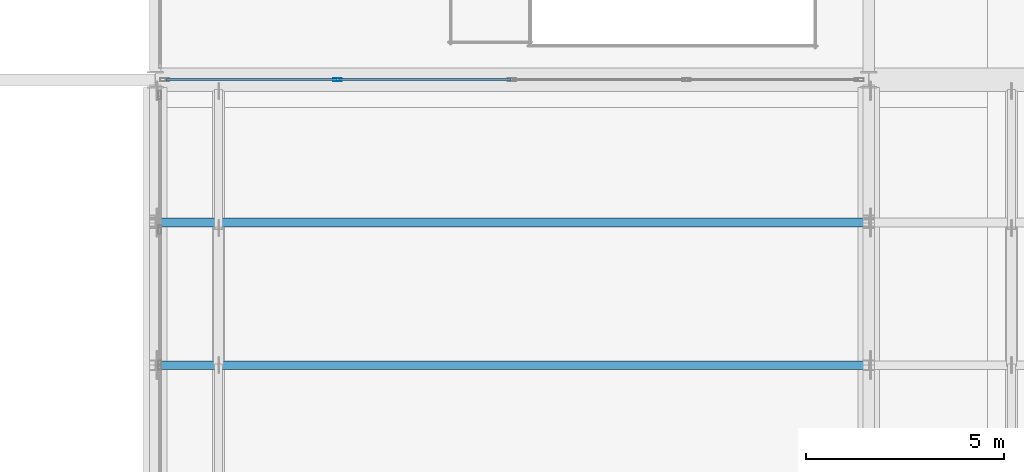
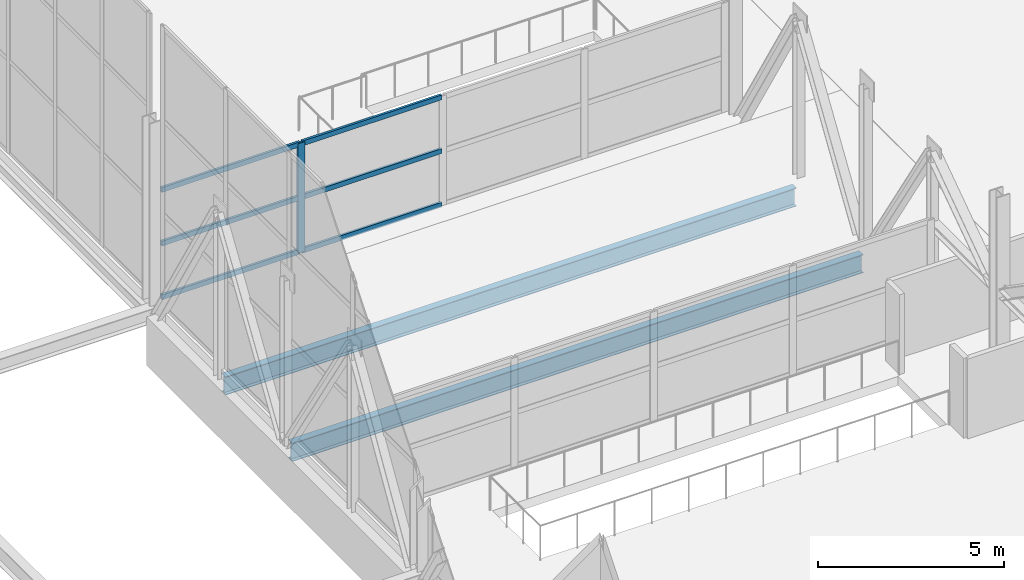
# One storey, part 77 of 191: 7 members, 2 beams, 1 element without a shape of its own.
"""IFC4 building model written with IfcOpenShell, lengths in metres."""

from ifc_helpers import new_model, si_unit, direction, frame, origin, origin_2d, place, context, subcontext, project, spatial, hollow_rectangle, i_section, extrude, material, layer, layer_set, material_profile, profile_set, type_object, element, aggregate, save


model = new_model("IFC4")

# Units and contexts
model_context = context("Model", 3, precision=1e-05, world=origin(), true_north=direction((0.0, 1.0)))
body_context = subcontext(model_context, "Body", "Model", "MODEL_VIEW")
ifc_project = project(units=[si_unit("LENGTHUNIT", "METRE"), si_unit("AREAUNIT", "SQUARE_METRE"), si_unit("VOLUMEUNIT", "CUBIC_METRE"), si_unit("PLANEANGLEUNIT", "RADIAN"), si_unit("MASSUNIT", "GRAM", prefix="KILO")], contexts=[model_context])

# Site, building, storey
site_placement = place(None, origin())
site = spatial("IfcSite", under=ifc_project, at=site_placement, CompositionType="ELEMENT")
building_placement = place(site_placement, origin())
building = spatial("IfcBuilding", under=site, at=building_placement, Name="Tamarisk Ironworks Central Station", CompositionType="ELEMENT")
storey_placement = place(building_placement, frame((0.0, 0.0, 6.60009765625)))
storey = spatial("IfcBuildingStorey", under=building, at=storey_placement, Name="L01", CompositionType="ELEMENT", Elevation=6.60009765625)

# Beams
ifc_material_1 = material(Name="Structural steel S355J2", Category="steel")
ifc_material_profile_1 = material_profile(ifc_material_1, i_section(OverallWidth=0.219970703125, OverallDepth=0.60009765625, WebThickness=0.011962890625, FlangeThickness=0.01904296875, at=origin_2d()), Name="IPE 600")
ifc_profile_set_1 = profile_set([ifc_material_profile_1], Name="Structural steel S355J2")
beam_type = type_object("IfcBeamType", Name="BM-B01", PredefinedType="BEAM", material=ifc_profile_set_1)
for number, where, z_axis, x_axis, name in (
    (1, (54.135009765625, 72.0, -0.60009765625), (1.0, 0.0, 0.0), (0.0, 1.0, 0.0), "L01 secondary composite beam 0011"),
    (2, (54.135009765625, 75.60009765625, -0.60009765625), (1.0, 0.0, 0.0), (0.0, 1.0, 0.0), "L01 secondary composite beam 0012"),
):
    element("IfcBeam", number, at=place(storey_placement, frame(where, z_axis=z_axis, x_axis=x_axis)), inside=storey, type_object=beam_type, Name=name, PredefinedType="BEAM", context=body_context, shape_type="SweptSolid", body=[
        extrude(i_section(OverallWidth=0.219970703125, OverallDepth=0.60009765625, WebThickness=0.011962890625, FlangeThickness=0.01904296875, at=origin_2d()), origin(), (0.0, 0.0, 1.0), 17.72998046875),
    ])

# Curtain wall, members
ifc_material_2 = material(Name="Anodized aluminium alloy 6063-T6", Category="aluminium")
ifc_layer = layer(ifc_material_2, 0.179931640625)
ifc_layer_set = layer_set([ifc_layer], Name="Anodized aluminium alloy 6063-T6")
curtain_wall_type = type_object("IfcCurtainWallType", Name="CW-24", PredefinedType="USERDEFINED", material=ifc_layer_set)
curtain_wall_placement = place(storey_placement, origin())
curtain_wall = element("IfcCurtainWall", 3, at=curtain_wall_placement, inside=storey, type_object=curtain_wall_type, Name="North bridge west glazed acoustic screen", ObjectType="GLAZED CURTAIN WALL", PredefinedType="USERDEFINED")
ifc_material_profile_2 = material_profile(ifc_material_2, hollow_rectangle(XDim=0.074951171875, YDim=0.219970703125, WallThickness=0.00390625, at=origin_2d()), Name="ALUM 220x75")
ifc_profile_set_2 = profile_set([ifc_material_profile_2], Name="Anodized aluminium alloy 6063-T6")
member_type_1 = type_object("IfcMemberType", Name="CWM-01", PredefinedType="MULLION", material=ifc_profile_set_2)
member_1_placement = place(storey_placement, frame((58.6005859375, 79.199951171875, 0.0), z_axis=(0.0, 0.0, 1.0), x_axis=(0.0, 1.0, 0.0)))
member_1 = element("IfcMember", 4, at=member_1_placement, type_object=member_type_1, Name="CW24 mullion 2", PredefinedType="MULLION", context=body_context, shape_type="SweptSolid", body=[
    extrude(hollow_rectangle(XDim=0.074951171875, YDim=0.219970703125, WallThickness=0.00390625, at=origin_2d()), origin(), (0.0, 0.0, 1.0), 3.599853515625),
])
ifc_material_profile_3 = material_profile(ifc_material_2, hollow_rectangle(XDim=0.074951171875, YDim=0.159912109375, WallThickness=0.00390625, at=origin_2d()), Name="ALUM 160x75")
ifc_profile_set_3 = profile_set([ifc_material_profile_3], Name="Anodized aluminium alloy 6063-T6")
member_type_2 = type_object("IfcMemberType", Name="CWT-01", PredefinedType="USERDEFINED", material=ifc_profile_set_3)
member_2_placement = place(storey_placement, frame((54.27197265625, 79.199951171875, 0.037353515625), z_axis=(1.0, 0.0, 0.0), x_axis=(0.0, 1.0, 0.0)))
member_2 = element("IfcMember", 5, at=member_2_placement, type_object=member_type_2, Name="CW24 transom 1.1", ObjectType="TRANSOM", PredefinedType="USERDEFINED", context=body_context, shape_type="SweptSolid", body=[
    extrude(hollow_rectangle(XDim=0.074951171875, YDim=0.159912109375, WallThickness=0.00390625, at=origin_2d()), origin(), (0.0, 0.0, 1.0), 4.294921875),
])
member_3_placement = place(storey_placement, frame((54.27197265625, 79.199951171875, 1.7998046875), z_axis=(1.0, 0.0, 0.0), x_axis=(0.0, 1.0, 0.0)))
member_3 = element("IfcMember", 6, at=member_3_placement, type_object=member_type_2, Name="CW24 transom 1.2", ObjectType="TRANSOM", PredefinedType="USERDEFINED", context=body_context, shape_type="SweptSolid", body=[
    extrude(hollow_rectangle(XDim=0.074951171875, YDim=0.159912109375, WallThickness=0.00390625, at=origin_2d()), origin(), (0.0, 0.0, 1.0), 4.294921875),
])
member_4_placement = place(storey_placement, frame((54.27197265625, 79.199951171875, 3.5625), z_axis=(1.0, 0.0, 0.0), x_axis=(0.0, 1.0, 0.0)))
member_4 = element("IfcMember", 7, at=member_4_placement, type_object=member_type_2, Name="CW24 transom 1.3", ObjectType="TRANSOM", PredefinedType="USERDEFINED", context=body_context, shape_type="SweptSolid", body=[
    extrude(hollow_rectangle(XDim=0.074951171875, YDim=0.159912109375, WallThickness=0.00390625, at=origin_2d()), origin(), (0.0, 0.0, 1.0), 4.294921875),
])
member_5_placement = place(storey_placement, frame((58.634033203125, 79.199951171875, 0.037353515625), z_axis=(1.0, 0.0, 0.0), x_axis=(0.0, 1.0, 0.0)))
member_5 = element("IfcMember", 8, at=member_5_placement, type_object=member_type_2, Name="CW24 transom 2.1", ObjectType="TRANSOM", PredefinedType="USERDEFINED", context=body_context, shape_type="SweptSolid", body=[
    extrude(hollow_rectangle(XDim=0.074951171875, YDim=0.159912109375, WallThickness=0.00390625, at=origin_2d()), origin(), (0.0, 0.0, 1.0), 4.33251953125),
])
member_6_placement = place(storey_placement, frame((58.634033203125, 79.199951171875, 1.7998046875), z_axis=(1.0, 0.0, 0.0), x_axis=(0.0, 1.0, 0.0)))
member_6 = element("IfcMember", 9, at=member_6_placement, type_object=member_type_2, Name="CW24 transom 2.2", ObjectType="TRANSOM", PredefinedType="USERDEFINED", context=body_context, shape_type="SweptSolid", body=[
    extrude(hollow_rectangle(XDim=0.074951171875, YDim=0.159912109375, WallThickness=0.00390625, at=origin_2d()), origin(), (0.0, 0.0, 1.0), 4.33251953125),
])
member_7_placement = place(storey_placement, frame((58.634033203125, 79.199951171875, 3.5625), z_axis=(1.0, 0.0, 0.0), x_axis=(0.0, 1.0, 0.0)))
member_7 = element("IfcMember", 10, at=member_7_placement, type_object=member_type_2, Name="CW24 transom 2.3", ObjectType="TRANSOM", PredefinedType="USERDEFINED", context=body_context, shape_type="SweptSolid", body=[
    extrude(hollow_rectangle(XDim=0.074951171875, YDim=0.159912109375, WallThickness=0.00390625, at=origin_2d()), origin(), (0.0, 0.0, 1.0), 4.33251953125),
])
aggregate(curtain_wall, [member_1, member_2, member_3, member_4, member_5, member_6, member_7])

save(model, "model.ifc")
